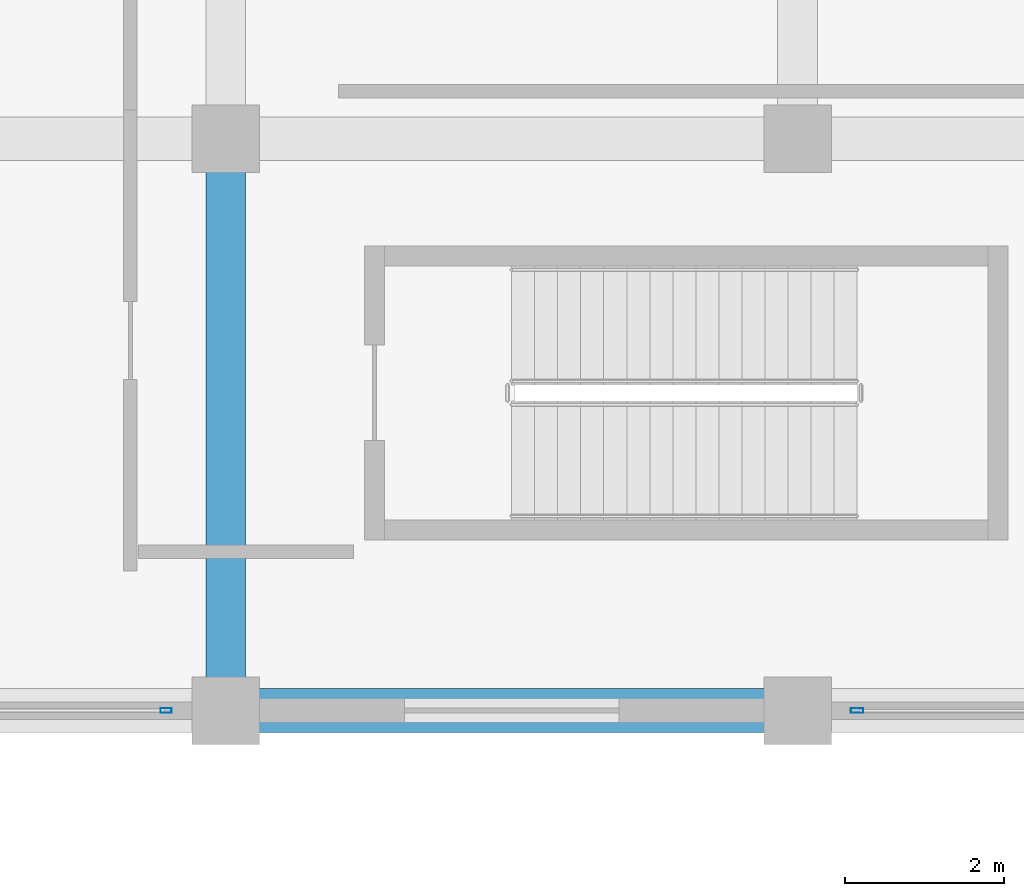
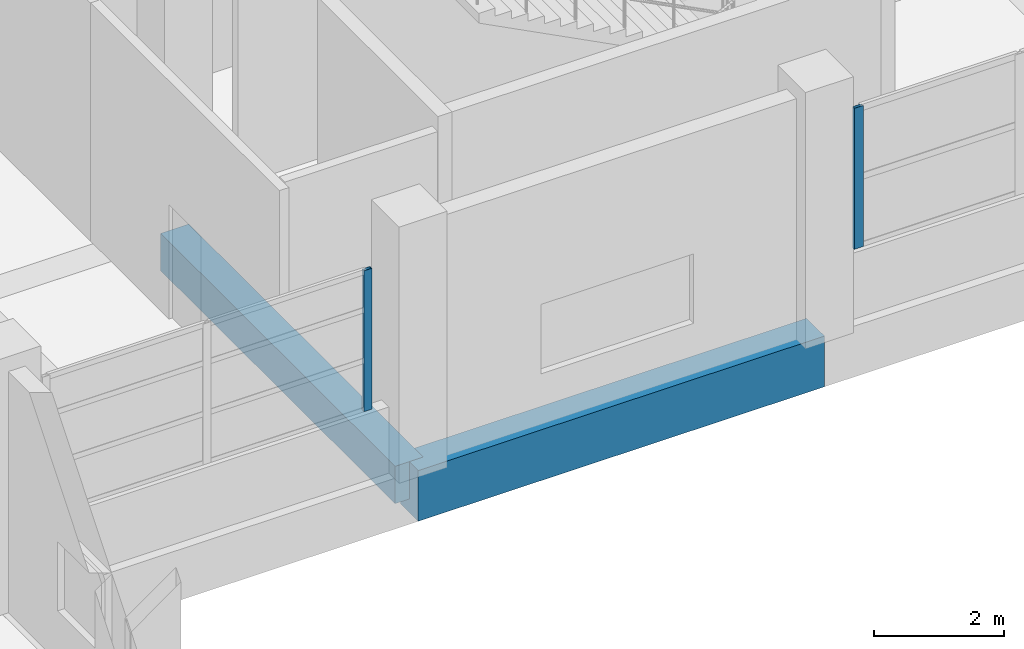
# One storey, part 73 of 181: 2 beams, 2 members, 2 elements without a shape of their own.
"""IFC4 building model written with IfcOpenShell, lengths in metres."""

import ifcopenshell
import ifcopenshell.guid

model = None  # the IFC model being written
_history = None  # IfcOwnerHistory: only IFC2X3 demands one
_inside = {}  # id of a spatial element -> (the spatial element, [elements in it])
_under = {}  # id of a project, library or spatial element -> (it, [spatial elements below it])
_declared = {}  # id of a project -> (the project, [libraries it declares])
_typed = {}  # id of a type object -> (the type object, [elements of that type])
_made_of = {}  # id of a material, layer set ... -> (it, [elements and type objects made of it])


def new_model(schema):
    """Start an empty IFC model of exactly this schema.

    Asked for "IFC4X3", IfcOpenShell would pick the latest addendum, in which some entities
    have other attributes; the version numbers below select the first issue.
    IFC2X3 requires an IfcOwnerHistory on every rooted entity: one is made here for all.
    """
    global model, _history
    if schema == "IFC4X3":
        model = ifcopenshell.file(schema_version=(4, 3, 0, 0))
    else:
        model = ifcopenshell.file(schema=schema)
    _inside.clear()
    _under.clear()
    _declared.clear()
    _typed.clear()
    _made_of.clear()
    _history = None
    if model.schema == "IFC2X3":
        org = make("IfcOrganization", Name="unknown")
        user = make(
            "IfcPersonAndOrganization",
            ThePerson=make("IfcPerson", FamilyName="unknown"),
            TheOrganization=org,
        )
        app = make(
            "IfcApplication",
            ApplicationDeveloper=org,
            Version="unknown",
            ApplicationFullName="unknown",
            ApplicationIdentifier="unknown",
        )
        _history = make(
            "IfcOwnerHistory",
            OwningUser=user,
            OwningApplication=app,
            ChangeAction="ADDED",
            CreationDate=0,
        )
    return model


def make(cls, **values):
    """One entity of the class cls with the attributes given. An attribute that is None is left unset."""
    return model.create_entity(
        cls, **{name: value for name, value in values.items() if value is not None}
    )


def rooted(cls, **values):
    """An entity with a GlobalId (a new one), such as an element, a storey or a relation."""
    return make(cls, GlobalId=ifcopenshell.guid.new(), OwnerHistory=_history, **values)


def si_unit(unit_type, name, prefix=None):
    """IfcSIUnit, for example si_unit("LENGTHUNIT", "METRE", prefix="MILLI")."""
    return make("IfcSIUnit", UnitType=unit_type, Prefix=prefix, Name=name)


def assignment(units):
    """IfcUnitAssignment: the units of a project."""
    return None if units is None else make("IfcUnitAssignment", Units=units)


def point(xyz):
    """IfcCartesianPoint."""
    return None if xyz is None else make("IfcCartesianPoint", Coordinates=xyz)


def direction(xyz):
    """IfcDirection."""
    return None if xyz is None else make("IfcDirection", DirectionRatios=xyz)


def frame(location, z_axis=None, x_axis=None):
    """IfcAxis2Placement3D, a coordinate frame: its origin and axes. An axis left out is left unset."""
    return make(
        "IfcAxis2Placement3D",
        Location=point(location),
        Axis=direction(z_axis),
        RefDirection=direction(x_axis),
    )


def frame_2d(location, x_axis=None):
    """IfcAxis2Placement2D, a coordinate frame in the plane: its origin and x axis."""
    return make(
        "IfcAxis2Placement2D", Location=point(location), RefDirection=direction(x_axis)
    )


def origin():
    """The frame at (0, 0, 0) with its axes left unset."""
    return frame((0.0, 0.0, 0.0))


def origin_2d():
    """The frame at (0, 0) in the plane with its x axis left unset."""
    return frame_2d((0.0, 0.0))


def place(relative_to, where):
    """IfcLocalPlacement: puts the frame where relative to a parent placement (None: the world)."""
    return make(
        "IfcLocalPlacement", PlacementRelTo=relative_to, RelativePlacement=where
    )


def context(
    kind, dimensions, precision=None, world=None, true_north=None, identifier=None
):
    """IfcGeometricRepresentationContext, for example the 3D "Model" context."""
    return make(
        "IfcGeometricRepresentationContext",
        ContextIdentifier=identifier,
        ContextType=kind,
        CoordinateSpaceDimension=dimensions,
        Precision=precision,
        WorldCoordinateSystem=world,
        TrueNorth=true_north,
    )


def subcontext(parent, identifier, kind, view, scale=None):
    """IfcGeometricRepresentationSubContext, for example "Body" below "Model"."""
    return make(
        "IfcGeometricRepresentationSubContext",
        ContextIdentifier=identifier,
        ContextType=kind,
        ParentContext=parent,
        TargetScale=scale,
        TargetView=view,
    )


def project(units=None, contexts=None):
    """IfcProject with its units and contexts."""
    return rooted(
        "IfcProject",
        Name="project",
        RepresentationContexts=contexts,
        UnitsInContext=assignment(units),
    )


def spatial(cls, under=None, at=None, **own):
    """A site, building, storey or space (cls), placed at a placement, below another one or the project."""
    s = rooted(cls, ObjectPlacement=at, **own)
    if under is not None:
        _under.setdefault(under.id(), (under, []))[1].append(s)
    return s


def profile(cls, at=None, kind="AREA", **sizes):
    """A parametric profile (cls). Its sizes go by their IFC names, for example OverallWidth=200.0."""
    return make(cls, ProfileType=kind, Position=at, **sizes)


def rectangle(**sizes):
    """IfcRectangleProfileDef."""
    return profile("IfcRectangleProfileDef", **sizes)


def hollow_rectangle(**sizes):
    """IfcRectangleHollowProfileDef."""
    return profile("IfcRectangleHollowProfileDef", **sizes)


def extrude(swept, where, along, depth):
    """IfcExtrudedAreaSolid: the profile swept, set in the frame where, extruded along a direction by depth."""
    return make(
        "IfcExtrudedAreaSolid",
        SweptArea=swept,
        Position=where,
        ExtrudedDirection=direction(along),
        Depth=depth,
    )


def shape(context_of_items, identifier, shape_type, items):
    """IfcShapeRepresentation: the items that make up one representation, for example the "Body"."""
    return make(
        "IfcShapeRepresentation",
        ContextOfItems=context_of_items,
        RepresentationIdentifier=identifier,
        RepresentationType=shape_type,
        Items=items,
    )


def material(Name=None, Category=None):
    """IfcMaterial."""
    return make("IfcMaterial", Name=Name, Category=Category)


def layer(
    of_material, thickness, ventilated=None, Name=None, Category=None, Priority=None
):
    """IfcMaterialLayer: one layer of a wall or slab, of a material (None: an air gap)."""
    return make(
        "IfcMaterialLayer",
        Material=of_material,
        LayerThickness=thickness,
        IsVentilated=ventilated,
        Name=Name,
        Category=Category,
        Priority=Priority,
    )


def layer_set(layers, Name=None):
    """IfcMaterialLayerSet."""
    return make("IfcMaterialLayerSet", MaterialLayers=layers, LayerSetName=Name)


def material_profile(
    of_material, cross_section, Name=None, Category=None, Priority=None
):
    """IfcMaterialProfile: a cross section and its material."""
    return make(
        "IfcMaterialProfile",
        Name=Name,
        Material=of_material,
        Profile=cross_section,
        Priority=Priority,
        Category=Category,
    )


def profile_set(profiles, Name=None, composite=None):
    """IfcMaterialProfileSet."""
    return make(
        "IfcMaterialProfileSet",
        Name=Name,
        MaterialProfiles=profiles,
        CompositeProfile=composite,
    )


def made_of(thing, what):
    """Note that an element or type object is made of a material, layer set ...; save() writes the relation."""
    if what is not None:
        _made_of.setdefault(what.id(), (what, []))[1].append(thing)
    return thing


def type_object(cls, material=None, **own):
    """A type object (cls), such as IfcWallType, which elements share."""
    return made_of(rooted(cls, **own), material)


def element(
    cls,
    number,
    at=None,
    inside=None,
    cuts=None,
    type_object=None,
    material=None,
    context=None,
    identifier="Body",
    shape_type=None,
    held_by="IfcProductDefinitionShape",
    body=None,
    shapes=None,
    **own,
):
    """One element of the class cls, such as IfcWall. Its Tag is "e" and its number.

    at: its placement. inside: the storey or other place that contains it. cuts: it is an
    opening in that element (IfcRelVoidsElement). A single representation is given by context,
    identifier, shape_type and body (its items); several are given by shapes. held_by: the class
    of the entity that holds the representations. save() writes the other relations.
    """
    e = rooted(cls, Tag="e%d" % number, ObjectPlacement=at, **own)
    if body is not None:
        shapes = [shape(context, identifier, shape_type, body)]
    if shapes is not None:
        e.Representation = make(held_by, Representations=shapes)
    if inside is not None:
        _inside.setdefault(inside.id(), (inside, []))[1].append(e)
    if cuts is not None:
        rooted(
            "IfcRelVoidsElement", RelatingBuildingElement=cuts, RelatedOpeningElement=e
        )
    if type_object is not None:
        _typed.setdefault(type_object.id(), (type_object, []))[1].append(e)
    return made_of(e, material)


def aggregate(whole, parts):
    """IfcRelAggregates: a whole, such as a stair, and the parts it consists of."""
    return rooted("IfcRelAggregates", RelatingObject=whole, RelatedObjects=parts)


def save(model, path):
    """Write the relations noted so far, then the file.

    IfcRelAggregates (storeys below a building ...), IfcRelContainedInSpatialStructure (elements
    in a storey), IfcRelDefinesByType, IfcRelAssociatesMaterial and IfcRelDeclares: one each for
    every whole, place, type object, material and project.
    """
    for whole, parts in _under.values():
        aggregate(whole, parts)
    for where, things in _inside.values():
        rooted(
            "IfcRelContainedInSpatialStructure",
            RelatedElements=things,
            RelatingStructure=where,
        )
    for kind, things in _typed.values():
        rooted("IfcRelDefinesByType", RelatedObjects=things, RelatingType=kind)
    for what, things in _made_of.values():
        rooted("IfcRelAssociatesMaterial", RelatedObjects=things, RelatingMaterial=what)
    for by, libraries in _declared.values():
        rooted("IfcRelDeclares", RelatingContext=by, RelatedDefinitions=libraries)
    model.write(path)


model = new_model("IFC4")

# Units and contexts
model_context = context("Model", 3, precision=1e-05, world=origin(), true_north=direction((0.0, 1.0)))
body_context = subcontext(model_context, "Body", "Model", "MODEL_VIEW")
ifc_project = project(units=[si_unit("LENGTHUNIT", "METRE"), si_unit("AREAUNIT", "SQUARE_METRE"), si_unit("VOLUMEUNIT", "CUBIC_METRE"), si_unit("PLANEANGLEUNIT", "RADIAN"), si_unit("MASSUNIT", "GRAM", prefix="KILO")], contexts=[model_context])

# Site, building, storey
site_placement = place(None, origin())
site = spatial("IfcSite", under=ifc_project, at=site_placement, CompositionType="ELEMENT")
building_placement = place(site_placement, origin())
building = spatial("IfcBuilding", under=site, at=building_placement, Name="Seraya Terrace Polytechnic", CompositionType="ELEMENT")
storey_placement = place(building_placement, frame((0.0, 0.0, 4.800048828125)))
storey = spatial("IfcBuildingStorey", under=building, at=storey_placement, Name="L01", CompositionType="ELEMENT", Elevation=4.800048828125)

# Beams
ifc_material_1 = material(Name="Concrete C40/50", Category="concrete")
ifc_material_profile_1 = material_profile(ifc_material_1, rectangle(XDim=0.550048828125, YDim=0.949951171875, at=origin_2d()), Name="RC 550x950")
ifc_profile_set_1 = profile_set([ifc_material_profile_1], Name="Concrete C40/50")
beam_type_1 = type_object("IfcBeamType", Name="BM-03", PredefinedType="BEAM", material=ifc_profile_set_1)
beam_1_placement = place(storey_placement, frame((50.39990234375, 64.800048828125, -0.47509765625), z_axis=(1.0, 0.0, 0.0), x_axis=(0.0, 1.0, 0.0)))
element("IfcBeam", 1, at=beam_1_placement, inside=storey, type_object=beam_type_1, Name="Beam BM-03 L01 X (50.4..57.6, 64.8)", PredefinedType="BEAM", context=body_context, shape_type="SweptSolid", body=[
    extrude(rectangle(XDim=0.550048828125, YDim=0.949951171875, at=origin_2d()), origin(), (0.0, 0.0, 1.0), 7.2001953125),
])
ifc_material_profile_2 = material_profile(ifc_material_1, rectangle(XDim=0.5, YDim=0.699951171875, at=origin_2d()), Name="RC 500x700")
ifc_profile_set_2 = profile_set([ifc_material_profile_2], Name="Concrete C40/50")
beam_type_2 = type_object("IfcBeamType", Name="BM-07", PredefinedType="BEAM", material=ifc_profile_set_2)
beam_2_placement = place(storey_placement, frame((50.39990234375, 64.800048828125, -0.35009765625), z_axis=(0.0, 1.0, 0.0), x_axis=(-1.0, 0.0, 0.0)))
element("IfcBeam", 2, at=beam_2_placement, inside=storey, type_object=beam_type_2, Name="Beam BM-07 L01 Y (50.4, 64.8..72.0)", PredefinedType="BEAM", context=body_context, shape_type="SweptSolid", body=[
    extrude(rectangle(XDim=0.5, YDim=0.699951171875, at=origin_2d()), origin(), (0.0, 0.0, 1.0), 7.199951171875),
])

# Curtain wall, member
ifc_material_2 = material(Name="Anodised aluminium EN AW-6063 T6", Category="aluminium")
ifc_layer_1 = layer(ifc_material_2, 0.179931640625, Name="CW-08")
ifc_layer_set_1 = layer_set([ifc_layer_1], Name="Anodised aluminium EN AW-6063 T6")
curtain_wall_type_1 = type_object("IfcCurtainWallType", Name="CW-08", PredefinedType="NOTDEFINED", material=ifc_layer_set_1)
curtain_wall_1_placement = place(storey_placement, origin())
curtain_wall_1 = element("IfcCurtainWall", 3, at=curtain_wall_1_placement, inside=storey, type_object=curtain_wall_type_1, Name="Unitised curtain wall CW-08 (CW-L01-044)", PredefinedType="NOTDEFINED")
ifc_material_profile_3 = material_profile(ifc_material_2, hollow_rectangle(XDim=0.06005859375, YDim=0.159912109375, WallThickness=0.00341796875, at=origin_2d()), Name="RHS 160x60x3.5")
ifc_profile_set_3 = profile_set([ifc_material_profile_3], Name="Anodised aluminium EN AW-6063 T6")
member_type_1 = type_object("IfcMemberType", Name="CWM-02", PredefinedType="MULLION", material=ifc_profile_set_3)
member_1_placement = place(storey_placement, frame((58.35009765625, 64.800048828125, 1.239990234375), z_axis=(0.0, 0.0, 1.0), x_axis=(0.0, -1.0, 0.0)))
member_1 = element("IfcMember", 4, at=member_1_placement, type_object=member_type_1, Name="CW-08 mullion 3", PredefinedType="MULLION", context=body_context, shape_type="SweptSolid", body=[
    extrude(hollow_rectangle(XDim=0.06005859375, YDim=0.159912109375, WallThickness=0.00341796875, at=origin_2d()), origin(), (0.0, 0.0, 1.0), 2.639892578125),
])
aggregate(curtain_wall_1, [member_1])

ifc_layer_2 = layer(ifc_material_2, 0.179931640625, Name="CW-09")
ifc_layer_set_2 = layer_set([ifc_layer_2], Name="Anodised aluminium EN AW-6063 T6")
curtain_wall_type_2 = type_object("IfcCurtainWallType", Name="CW-09", PredefinedType="NOTDEFINED", material=ifc_layer_set_2)
curtain_wall_2_placement = place(storey_placement, origin())
curtain_wall_2 = element("IfcCurtainWall", 5, at=curtain_wall_2_placement, inside=storey, type_object=curtain_wall_type_2, Name="Unitised curtain wall CW-09 (CW-L01-045)", PredefinedType="NOTDEFINED")
ifc_material_profile_4 = material_profile(ifc_material_2, hollow_rectangle(XDim=0.06005859375, YDim=0.139892578125, WallThickness=0.00341796875, at=origin_2d()), Name="RHS 140x60x3.5")
ifc_profile_set_4 = profile_set([ifc_material_profile_4], Name="Anodised aluminium EN AW-6063 T6")
member_type_2 = type_object("IfcMemberType", Name="CWM-03", PredefinedType="MULLION", material=ifc_profile_set_4)
member_2_placement = place(storey_placement, frame((49.64990234375, 64.800048828125, 1.239990234375), z_axis=(0.0, 0.0, 1.0), x_axis=(0.0, -1.0, 0.0)))
member_2 = element("IfcMember", 6, at=member_2_placement, type_object=member_type_2, Name="CW-09 mullion 1", PredefinedType="MULLION", context=body_context, shape_type="SweptSolid", body=[
    extrude(hollow_rectangle(XDim=0.06005859375, YDim=0.139892578125, WallThickness=0.00341796875, at=origin_2d()), origin(), (0.0, 0.0, 1.0), 2.639892578125),
])
aggregate(curtain_wall_2, [member_2])

save(model, "model.ifc")
